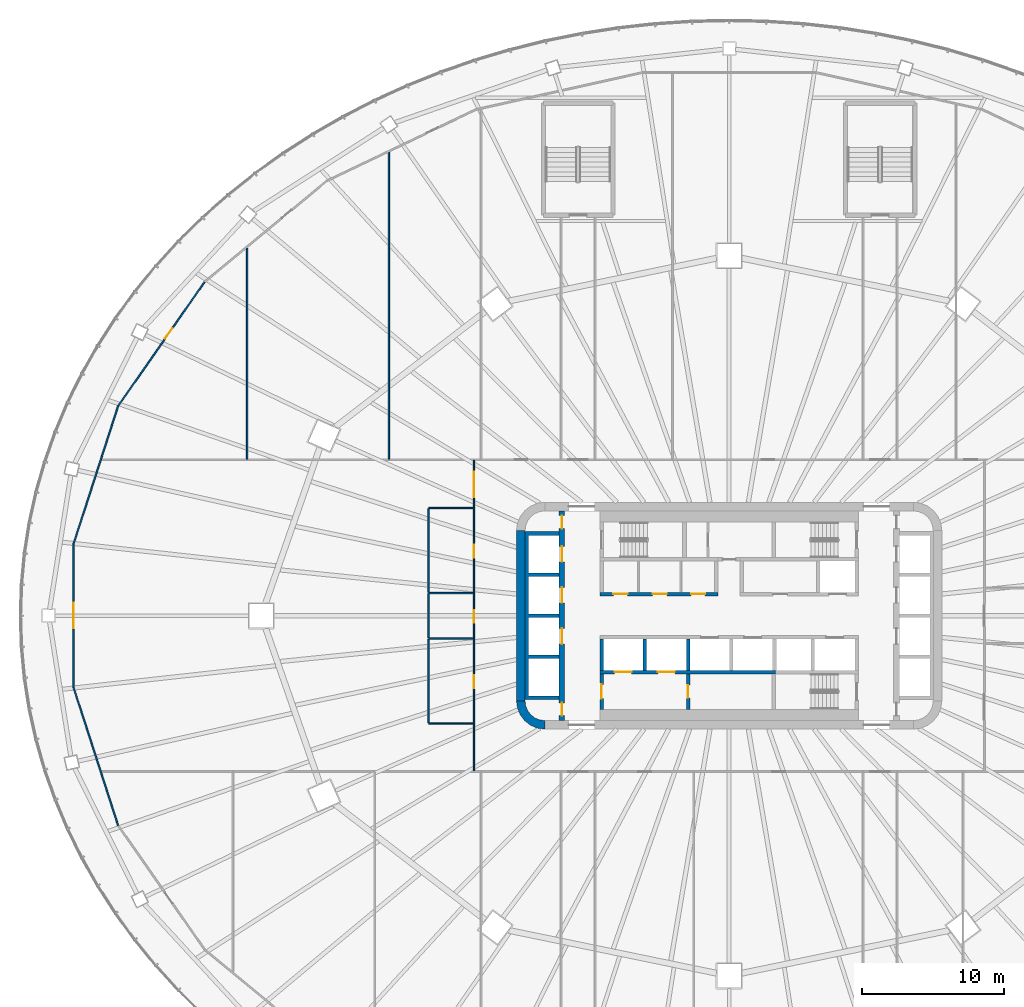
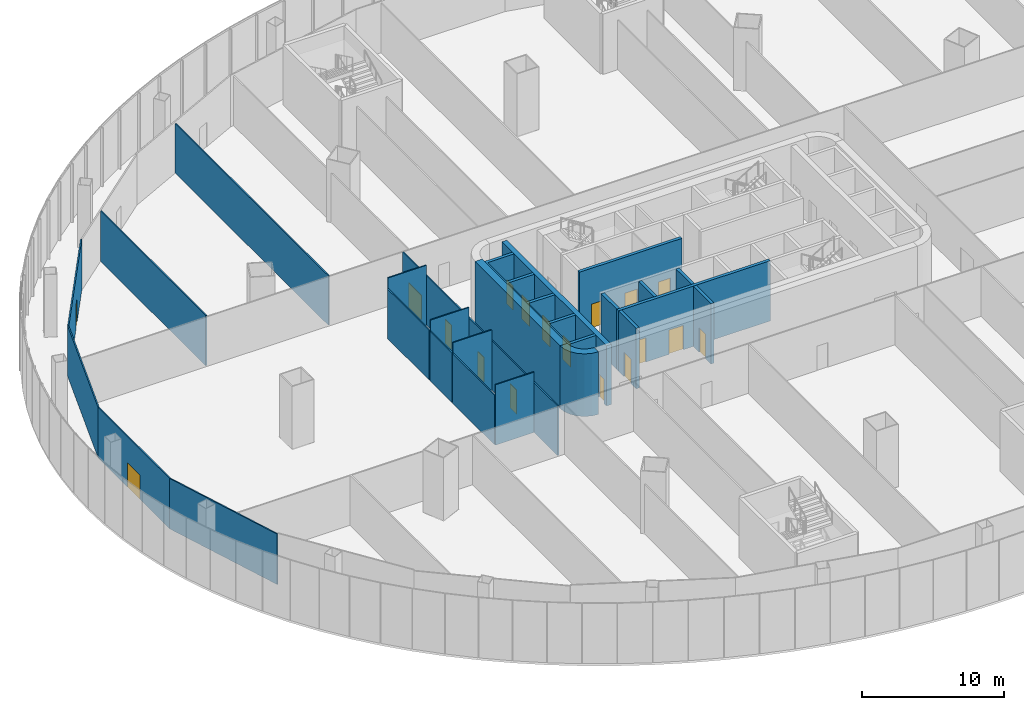
# One storey, part 22 of 42: 25 walls, 18 doors, 18 openings.
"""IFC4 building model written with IfcOpenShell, lengths in metres."""

from ifc_helpers import new_model, si_unit, direction, frame, frame_2d, origin, place, context, subcontext, project, spatial, polyline, rectangle, outline, extrude, material, layer, layer_set, type_object, element, fill, save


model = new_model("IFC4")

# Units and contexts
model_context = context("Model", 3, precision=1e-05, world=origin(), true_north=direction((0.0, 1.0)))
body_context = subcontext(model_context, "Body", "Model", "MODEL_VIEW")
ifc_project = project(units=[si_unit("LENGTHUNIT", "METRE"), si_unit("AREAUNIT", "SQUARE_METRE"), si_unit("VOLUMEUNIT", "CUBIC_METRE"), si_unit("PLANEANGLEUNIT", "RADIAN"), si_unit("MASSUNIT", "GRAM", prefix="KILO")], contexts=[model_context])

# Site, building, storey
site_placement = place(None, origin())
site = spatial("IfcSite", under=ifc_project, at=site_placement, CompositionType="ELEMENT")
building_placement = place(site_placement, origin())
building = spatial("IfcBuilding", under=site, at=building_placement, Name="Sahrelin Media Tower", CompositionType="ELEMENT")
storey_placement = place(building_placement, frame((0.0, 0.0, 26.0)))
storey = spatial("IfcBuildingStorey", under=building, at=storey_placement, Name="L03", CompositionType="ELEMENT", Elevation=26.0)

# Walls
ifc_material_1 = material(Name="Concrete C60/75", Category="concrete")
ifc_layer_1 = layer(ifc_material_1, 0.60009765625)
ifc_layer_set_1 = layer_set([ifc_layer_1], Name="Core wall 600")
wall_type_1 = type_object("IfcWallType", Name="Core wall 600", PredefinedType="SHEAR", material=ifc_layer_set_1)
wall_1_placement = place(storey_placement, frame((-14.699951171875, -6.0, 0.0), z_axis=(0.0, 0.0, 1.0), x_axis=(0.0, 1.0, 0.0)))
element("IfcWall", 1, at=wall_1_placement, inside=storey, type_object=wall_type_1, Name="Core wall W L03", PredefinedType="SHEAR", context=body_context, shape_type="SweptSolid", body=[
    extrude(rectangle(XDim=12.0, YDim=0.60009765625, at=frame_2d((6.0, 0.0))), origin(), (0.0, 0.0, 1.0), 5.39990234375),
])
placement = place(storey_placement, origin())
element("IfcWall", 2, at=placement, inside=storey, type_object=wall_type_1, Name="Core wall corner SW L03", PredefinedType="SHEAR", context=body_context, shape_type="SweptSolid", body=[
    extrude(outline(polyline([(-13.0, -8.0), (-13.0, -7.394775390625), (-13.361083984375, -7.347412109375), (-13.697509765625, -7.2080078125), (-13.986328125, -6.986328125), (-14.2080078125, -6.697509765625), (-14.347412109375, -6.361083984375), (-14.394775390625, -6.0), (-15.0, -6.0), (-14.931884765625, -6.517578125), (-14.732177734375, -7.0), (-14.414306640625, -7.414306640625), (-14.0, -7.732177734375), (-13.517578125, -7.931884765625), (-13.0, -8.0)])), origin(), (0.0, 0.0, 1.0), 5.39990234375),
])

# Wall, openings, doors
ifc_material_2 = material(Name="Fire-rated gypsum board partition")
ifc_layer_2 = layer(ifc_material_2, 0.25)
ifc_layer_set_2 = layer_set([ifc_layer_2], Name="Fire-rated lobby wall 250")
wall_type_2 = type_object("IfcWallType", Name="Fire-rated lobby wall 250", PredefinedType="PARTITIONING", material=ifc_layer_set_2)
wall_3_placement = place(storey_placement, frame((-9.125, 1.52490234375, 0.0), z_axis=(0.0, 0.0, 1.0), x_axis=(1.0, 0.0, 0.0)))
wall_3 = element("IfcWall", 3, at=wall_3_placement, inside=storey, type_object=wall_type_2, Name="Core lobby wall", PredefinedType="PARTITIONING", context=body_context, shape_type="SweptSolid", body=[
    extrude(rectangle(XDim=8.35009765625, YDim=0.25, at=frame_2d((4.175048828125, 0.0))), origin(), (0.0, 0.0, 1.0), 5.199951171875),
])
opening_1_placement = place(wall_3_placement, frame((0.96240234375, 0.0, 0.0)))
opening_1 = element("IfcOpeningElement", 4, at=opening_1_placement, cuts=wall_3, Name="Opening L03-D08", PredefinedType="OPENING", context=body_context, shape_type="SweptSolid", body=[
    extrude(rectangle(XDim=1.0, YDim=2.10009765625, at=frame_2d((0.5, 1.050048828125))), frame((0.0, 0.125, 0.0), z_axis=(0.0, -1.0, 0.0), x_axis=(1.0, 0.0, 0.0)), (0.0, 0.0, 1.0), 0.25),
])
opening_2_placement = place(wall_3_placement, frame((3.72509765625, 0.0, 0.0)))
opening_2 = element("IfcOpeningElement", 5, at=opening_2_placement, cuts=wall_3, Name="Opening L03-D09", PredefinedType="OPENING", context=body_context, shape_type="SweptSolid", body=[
    extrude(rectangle(XDim=1.0, YDim=2.10009765625, at=frame_2d((0.5, 1.050048828125))), frame((0.0, 0.125, 0.0), z_axis=(0.0, -1.0, 0.0), x_axis=(1.0, 0.0, 0.0)), (0.0, 0.0, 1.0), 0.25),
])
opening_3_placement = place(wall_3_placement, frame((6.4375, 0.0, 0.0)))
opening_3 = element("IfcOpeningElement", 6, at=opening_3_placement, cuts=wall_3, Name="Opening L03-D10", PredefinedType="OPENING", context=body_context, shape_type="SweptSolid", body=[
    extrude(rectangle(XDim=1.0, YDim=2.10009765625, at=frame_2d((0.5, 1.050048828125))), frame((0.0, 0.125, 0.0), z_axis=(0.0, -1.0, 0.0), x_axis=(1.0, 0.0, 0.0)), (0.0, 0.0, 1.0), 0.25),
])
ifc_material_3 = material(Name="Steel fire door leaf", Category="steel")
door_type_1 = type_object("IfcDoorType", Name="Fire door 1000 x 2100 EI 60", OperationType="NOTDEFINED", PredefinedType="DOOR", material=ifc_material_3)
door_1_placement = place(opening_1_placement, origin())
door_1 = element("IfcDoor", 7, at=door_1_placement, inside=storey, type_object=door_type_1, Name="Core room door", OperationType="SINGLE_SWING_LEFT", OverallHeight=2.10009765625, OverallWidth=1.0, PredefinedType="DOOR", context=body_context, shape_type="SweptSolid", body=[
    extrude(rectangle(XDim=1.0, YDim=2.10009765625, at=frame_2d((0.5, 1.050048828125))), frame((0.0, 0.02490234375, 0.0), z_axis=(0.0, -1.0, 0.0), x_axis=(1.0, 0.0, 0.0)), (0.0, 0.0, 1.0), 0.050048828125),
])
fill(opening_1, door_1)
door_2_placement = place(opening_2_placement, origin())
door_2 = element("IfcDoor", 8, at=door_2_placement, inside=storey, type_object=door_type_1, Name="Core room door", OperationType="SINGLE_SWING_LEFT", OverallHeight=2.10009765625, OverallWidth=1.0, PredefinedType="DOOR", context=body_context, shape_type="SweptSolid", body=[
    extrude(rectangle(XDim=1.0, YDim=2.10009765625, at=frame_2d((0.5, 1.050048828125))), frame((0.0, 0.02490234375, 0.0), z_axis=(0.0, -1.0, 0.0), x_axis=(1.0, 0.0, 0.0)), (0.0, 0.0, 1.0), 0.050048828125),
])
fill(opening_2, door_2)
door_3_placement = place(opening_3_placement, origin())
door_3 = element("IfcDoor", 9, at=door_3_placement, inside=storey, type_object=door_type_1, Name="Core room door", OperationType="SINGLE_SWING_LEFT", OverallHeight=2.10009765625, OverallWidth=1.0, PredefinedType="DOOR", context=body_context, shape_type="SweptSolid", body=[
    extrude(rectangle(XDim=1.0, YDim=2.10009765625, at=frame_2d((0.5, 1.050048828125))), frame((0.0, 0.02490234375, 0.0), z_axis=(0.0, -1.0, 0.0), x_axis=(1.0, 0.0, 0.0)), (0.0, 0.0, 1.0), 0.050048828125),
])
fill(opening_3, door_3)

# Wall, opening, door
ifc_layer_3 = layer(ifc_material_2, 0.25)
ifc_layer_set_3 = layer_set([ifc_layer_3], Name="Firefighting lobby wall 250")
wall_type_3 = type_object("IfcWallType", Name="Firefighting lobby wall 250", PredefinedType="PARTITIONING", material=ifc_layer_set_3)
wall_4_placement = place(storey_placement, frame((-9.0, -6.60009765625, 0.0), z_axis=(0.0, 0.0, 1.0), x_axis=(0.0, 1.0, 0.0)))
wall_4 = element("IfcWall", 10, at=wall_4_placement, inside=storey, type_object=wall_type_3, Name="Core wall", PredefinedType="PARTITIONING", context=body_context, shape_type="SweptSolid", body=[
    extrude(rectangle(XDim=2.5, YDim=0.25, at=frame_2d((1.25, 0.0))), origin(), (0.0, 0.0, 1.0), 5.199951171875),
])
opening_4_placement = place(wall_4_placement, frame((0.75, 0.0, 0.0)))
opening_4 = element("IfcOpeningElement", 11, at=opening_4_placement, cuts=wall_4, Name="Opening L03-D04", PredefinedType="OPENING", context=body_context, shape_type="SweptSolid", body=[
    extrude(rectangle(XDim=1.0, YDim=2.10009765625, at=frame_2d((0.5, 1.050048828125))), frame((0.0, 0.125, 0.0), z_axis=(0.0, -1.0, 0.0), x_axis=(1.0, 0.0, 0.0)), (0.0, 0.0, 1.0), 0.25),
])
door_type_2 = type_object("IfcDoorType", Name="Firefighting lobby door 1000 x 2100 EI 120", OperationType="NOTDEFINED", PredefinedType="DOOR", material=ifc_material_3)
door_4_placement = place(opening_4_placement, origin())
door_4 = element("IfcDoor", 12, at=door_4_placement, inside=storey, type_object=door_type_2, Name="Firefighting lobby door", OperationType="SINGLE_SWING_LEFT", OverallHeight=2.10009765625, OverallWidth=1.0, PredefinedType="DOOR", context=body_context, shape_type="SweptSolid", body=[
    extrude(rectangle(XDim=1.0, YDim=2.10009765625, at=frame_2d((0.5, 1.050048828125))), frame((0.0, 0.02490234375, 0.0), z_axis=(0.0, -1.0, 0.0), x_axis=(1.0, 0.0, 0.0)), (0.0, 0.0, 1.0), 0.050048828125),
])
fill(opening_4, door_4)

wall_5_placement = place(storey_placement, frame((-2.89990234375, -6.60009765625, 0.0), z_axis=(0.0, 0.0, 1.0), x_axis=(0.0, 1.0, 0.0)))
wall_5 = element("IfcWall", 13, at=wall_5_placement, inside=storey, type_object=wall_type_3, Name="Core wall", PredefinedType="PARTITIONING", context=body_context, shape_type="SweptSolid", body=[
    extrude(rectangle(XDim=2.5, YDim=0.25, at=frame_2d((1.25, 0.0))), origin(), (0.0, 0.0, 1.0), 5.199951171875),
])
opening_5_placement = place(wall_5_placement, frame((0.800048828125, 0.0, 0.0)))
opening_5 = element("IfcOpeningElement", 14, at=opening_5_placement, cuts=wall_5, Name="Opening L03-D05", PredefinedType="OPENING", context=body_context, shape_type="SweptSolid", body=[
    extrude(rectangle(XDim=0.89990234375, YDim=2.10009765625, at=frame_2d((0.449951171875, 1.050048828125))), frame((0.0, 0.125, 0.0), z_axis=(0.0, -1.0, 0.0), x_axis=(1.0, 0.0, 0.0)), (0.0, 0.0, 1.0), 0.25),
])
door_type_3 = type_object("IfcDoorType", Name="Firefighting lobby door 900 x 2100 EI 120", OperationType="NOTDEFINED", PredefinedType="DOOR", material=ifc_material_3)
door_5_placement = place(opening_5_placement, origin())
door_5 = element("IfcDoor", 15, at=door_5_placement, inside=storey, type_object=door_type_3, Name="Riser door", OperationType="SINGLE_SWING_RIGHT", OverallHeight=2.10009765625, OverallWidth=0.89990234375, PredefinedType="DOOR", context=body_context, shape_type="SweptSolid", body=[
    extrude(rectangle(XDim=0.89990234375, YDim=2.10009765625, at=frame_2d((0.449951171875, 1.050048828125))), frame((0.0, 0.02490234375, 0.0), z_axis=(0.0, -1.0, 0.0), x_axis=(1.0, 0.0, 0.0)), (0.0, 0.0, 1.0), 0.050048828125),
])
fill(opening_5, door_5)

# Wall, openings, doors
ifc_layer_4 = layer(ifc_material_1, 0.25)
ifc_layer_set_4 = layer_set([ifc_layer_4], Name="Lift shaft wall 250")
wall_type_4 = type_object("IfcWallType", Name="Lift shaft wall 250", PredefinedType="SOLIDWALL", material=ifc_layer_set_4)
wall_6_placement = place(storey_placement, frame((-9.125, -3.97509765625, 0.0), z_axis=(0.0, 0.0, 1.0), x_axis=(1.0, 0.0, 0.0)))
wall_6 = element("IfcWall", 16, at=wall_6_placement, inside=storey, type_object=wall_type_4, Name="Lift shaft wall", PredefinedType="SOLIDWALL", context=body_context, shape_type="SweptSolid", body=[
    extrude(rectangle(XDim=12.39990234375, YDim=0.25, at=frame_2d((6.199951171875, 0.0))), origin(), (0.0, 0.0, 1.0), 5.199951171875),
])
opening_6_placement = place(wall_6_placement, frame((1.050048828125, 0.0, 0.0)))
opening_6 = element("IfcOpeningElement", 17, at=opening_6_placement, cuts=wall_6, Name="Opening L03-LD-FF1", PredefinedType="OPENING", context=body_context, shape_type="SweptSolid", body=[
    extrude(rectangle(XDim=1.199951171875, YDim=2.10009765625, at=frame_2d((0.60009765625, 1.050048828125))), frame((0.0, 0.125, 0.0), z_axis=(0.0, -1.0, 0.0), x_axis=(1.0, 0.0, 0.0)), (0.0, 0.0, 1.0), 0.25),
])
opening_7_placement = place(wall_6_placement, frame((4.10009765625, 0.0, 0.0)))
opening_7 = element("IfcOpeningElement", 18, at=opening_7_placement, cuts=wall_6, Name="Opening L03-LD-FF2", PredefinedType="OPENING", context=body_context, shape_type="SweptSolid", body=[
    extrude(rectangle(XDim=1.199951171875, YDim=2.10009765625, at=frame_2d((0.60009765625, 1.050048828125))), frame((0.0, 0.125, 0.0), z_axis=(0.0, -1.0, 0.0), x_axis=(1.0, 0.0, 0.0)), (0.0, 0.0, 1.0), 0.25),
])
ifc_material_4 = material(Name="Stainless steel", Category="steel")
door_type_4 = type_object("IfcDoorType", Name="Lift landing door 1200 x 2100 EI 120", OperationType="DOUBLE_DOOR_SLIDING", PredefinedType="DOOR", material=ifc_material_4)
door_6_placement = place(opening_6_placement, origin())
door_6 = element("IfcDoor", 19, at=door_6_placement, inside=storey, type_object=door_type_4, Name="Lift landing door FF1", OperationType="DOUBLE_DOOR_SLIDING", OverallHeight=2.10009765625, OverallWidth=1.199951171875, PredefinedType="DOOR", context=body_context, shape_type="SweptSolid", body=[
    extrude(rectangle(XDim=1.199951171875, YDim=2.10009765625, at=frame_2d((0.60009765625, 1.050048828125))), frame((0.0, 0.02490234375, 0.0), z_axis=(0.0, -1.0, 0.0), x_axis=(1.0, 0.0, 0.0)), (0.0, 0.0, 1.0), 0.050048828125),
])
fill(opening_6, door_6)
door_7_placement = place(opening_7_placement, origin())
door_7 = element("IfcDoor", 20, at=door_7_placement, inside=storey, type_object=door_type_4, Name="Lift landing door FF2", OperationType="DOUBLE_DOOR_SLIDING", OverallHeight=2.10009765625, OverallWidth=1.199951171875, PredefinedType="DOOR", context=body_context, shape_type="SweptSolid", body=[
    extrude(rectangle(XDim=1.199951171875, YDim=2.10009765625, at=frame_2d((0.60009765625, 1.050048828125))), frame((0.0, 0.02490234375, 0.0), z_axis=(0.0, -1.0, 0.0), x_axis=(1.0, 0.0, 0.0)), (0.0, 0.0, 1.0), 0.050048828125),
])
fill(opening_7, door_7)

# Walls
for number, where, z_axis, x_axis, name in (
    (21, (-9.0, -3.85009765625, 0.0), (0.0, 0.0, 1.0), (0.0, 1.0, 0.0), "Lift shaft wall"),
    (22, (-5.949951171875, -3.85009765625, 0.0), (0.0, 0.0, 1.0), (0.0, 1.0, 0.0), "Lift shaft wall"),
    (23, (-2.89990234375, -3.85009765625, 0.0), (0.0, 0.0, 1.0), (0.0, 1.0, 0.0), "Lift shaft wall"),
):
    element("IfcWall", number, at=place(storey_placement, frame(where, z_axis=z_axis, x_axis=x_axis)), inside=storey, type_object=wall_type_4, Name=name, PredefinedType="SOLIDWALL", context=body_context, shape_type="SweptSolid", body=[
        extrude(rectangle(XDim=2.2001953125, YDim=0.25, at=frame_2d((1.10009765625, 0.0))), origin(), (0.0, 0.0, 1.0), 5.199951171875),
    ])
element("IfcWall", 24, at=placement, inside=storey, type_object=wall_type_4, Name="Lift shaft wall", PredefinedType="SOLIDWALL", context=body_context, shape_type="SweptSolid", body=[
    extrude(outline(polyline([(-12.0, -5.925048828125), (-12.0, -5.675048828125), (-14.14990234375, -5.675048828125), (-14.14990234375, -3.02490234375), (-12.0, -3.02490234375), (-12.0, -2.77490234375), (-14.14990234375, -2.77490234375), (-14.14990234375, -0.125), (-12.0, -0.125), (-12.0, 0.125), (-14.14990234375, 0.125), (-14.14990234375, 2.77490234375), (-12.0, 2.77490234375), (-12.0, 3.02490234375), (-14.14990234375, 3.02490234375), (-14.14990234375, 5.675048828125), (-12.0, 5.675048828125), (-12.0, 5.925048828125), (-14.14990234375, 5.925048828125), (-14.39990234375, 5.925048828125), (-14.39990234375, 5.675048828125), (-14.39990234375, 3.02490234375), (-14.39990234375, 2.77490234375), (-14.39990234375, 0.125), (-14.39990234375, -0.125), (-14.39990234375, -2.77490234375), (-14.39990234375, -3.02490234375), (-14.39990234375, -5.675048828125), (-14.39990234375, -5.925048828125), (-14.14990234375, -5.925048828125), (-12.0, -5.925048828125)])), origin(), (0.0, 0.0, 1.0), 5.199951171875),
])

# Wall, openings, doors
ifc_layer_5 = layer(ifc_material_1, 0.39990234375)
ifc_layer_set_5 = layer_set([ifc_layer_5], Name="Lift shaft wall 400")
wall_type_5 = type_object("IfcWallType", Name="Lift shaft wall 400", PredefinedType="SOLIDWALL", material=ifc_layer_set_5)
wall_8_placement = place(storey_placement, frame((-11.800048828125, -7.39990234375, 0.0), z_axis=(0.0, 0.0, 1.0), x_axis=(0.0, 1.0, 0.0)))
wall_8 = element("IfcWall", 25, at=wall_8_placement, inside=storey, type_object=wall_type_5, Name="Lift shaft wall", PredefinedType="SOLIDWALL", context=body_context, shape_type="SweptSolid", body=[
    extrude(rectangle(XDim=14.7998046875, YDim=0.39990234375, at=frame_2d((7.39990234375, 0.0))), origin(), (0.0, 0.0, 1.0), 5.199951171875),
])
opening_8_placement = place(wall_8_placement, frame((11.199951171875, 0.0, 0.0)))
opening_8 = element("IfcOpeningElement", 26, at=opening_8_placement, cuts=wall_8, Name="Opening L03-LD-LR1", PredefinedType="OPENING", context=body_context, shape_type="SweptSolid", body=[
    extrude(rectangle(XDim=1.10009765625, YDim=2.10009765625, at=frame_2d((0.550048828125, 1.050048828125))), frame((0.0, 0.199951171875, 0.0), z_axis=(0.0, -1.0, 0.0), x_axis=(1.0, 0.0, 0.0)), (0.0, 0.0, 1.0), 0.39990234375),
])
opening_9_placement = place(wall_8_placement, frame((8.300048828125, 0.0, 0.0)))
opening_9 = element("IfcOpeningElement", 27, at=opening_9_placement, cuts=wall_8, Name="Opening L03-LD-LR2", PredefinedType="OPENING", context=body_context, shape_type="SweptSolid", body=[
    extrude(rectangle(XDim=1.10009765625, YDim=2.10009765625, at=frame_2d((0.550048828125, 1.050048828125))), frame((0.0, 0.199951171875, 0.0), z_axis=(0.0, -1.0, 0.0), x_axis=(1.0, 0.0, 0.0)), (0.0, 0.0, 1.0), 0.39990234375),
])
opening_10_placement = place(wall_8_placement, frame((5.39990234375, 0.0, 0.0)))
opening_10 = element("IfcOpeningElement", 28, at=opening_10_placement, cuts=wall_8, Name="Opening L03-LD-LR3", PredefinedType="OPENING", context=body_context, shape_type="SweptSolid", body=[
    extrude(rectangle(XDim=1.10009765625, YDim=2.10009765625, at=frame_2d((0.550048828125, 1.050048828125))), frame((0.0, 0.199951171875, 0.0), z_axis=(0.0, -1.0, 0.0), x_axis=(1.0, 0.0, 0.0)), (0.0, 0.0, 1.0), 0.39990234375),
])
opening_11_placement = place(wall_8_placement, frame((13.552490234375, 0.0, 0.0)))
opening_11 = element("IfcOpeningElement", 29, at=opening_11_placement, cuts=wall_8, Name="Opening L03-D12", PredefinedType="OPENING", context=body_context, shape_type="SweptSolid", body=[
    extrude(rectangle(XDim=0.89990234375, YDim=2.10009765625, at=frame_2d((0.449951171875, 1.050048828125))), frame((0.0, 0.199951171875, 0.0), z_axis=(0.0, -1.0, 0.0), x_axis=(1.0, 0.0, 0.0)), (0.0, 0.0, 1.0), 0.39990234375),
])
opening_12_placement = place(wall_8_placement, frame((0.347412109375, 0.0, 0.0)))
opening_12 = element("IfcOpeningElement", 30, at=opening_12_placement, cuts=wall_8, Name="Opening L03-D13", PredefinedType="OPENING", context=body_context, shape_type="SweptSolid", body=[
    extrude(rectangle(XDim=0.89990234375, YDim=2.10009765625, at=frame_2d((0.449951171875, 1.050048828125))), frame((0.0, 0.199951171875, 0.0), z_axis=(0.0, -1.0, 0.0), x_axis=(1.0, 0.0, 0.0)), (0.0, 0.0, 1.0), 0.39990234375),
])
door_type_5 = type_object("IfcDoorType", Name="Lift landing door 1100 x 2100 EI 120", OperationType="DOUBLE_DOOR_SLIDING", PredefinedType="DOOR", material=ifc_material_4)
door_8_placement = place(opening_8_placement, origin())
door_8 = element("IfcDoor", 31, at=door_8_placement, inside=storey, type_object=door_type_5, Name="Lift landing door LR1", OperationType="DOUBLE_DOOR_SLIDING", OverallHeight=2.10009765625, OverallWidth=1.10009765625, PredefinedType="DOOR", context=body_context, shape_type="SweptSolid", body=[
    extrude(rectangle(XDim=1.10009765625, YDim=2.10009765625, at=frame_2d((0.550048828125, 1.050048828125))), frame((0.0, 0.02490234375, 0.0), z_axis=(0.0, -1.0, 0.0), x_axis=(1.0, 0.0, 0.0)), (0.0, 0.0, 1.0), 0.050048828125),
])
fill(opening_8, door_8)
door_9_placement = place(opening_9_placement, origin())
door_9 = element("IfcDoor", 32, at=door_9_placement, inside=storey, type_object=door_type_5, Name="Lift landing door LR2", OperationType="DOUBLE_DOOR_SLIDING", OverallHeight=2.10009765625, OverallWidth=1.10009765625, PredefinedType="DOOR", context=body_context, shape_type="SweptSolid", body=[
    extrude(rectangle(XDim=1.10009765625, YDim=2.10009765625, at=frame_2d((0.550048828125, 1.050048828125))), frame((0.0, 0.02490234375, 0.0), z_axis=(0.0, -1.0, 0.0), x_axis=(1.0, 0.0, 0.0)), (0.0, 0.0, 1.0), 0.050048828125),
])
fill(opening_9, door_9)
door_10_placement = place(opening_10_placement, origin())
door_10 = element("IfcDoor", 33, at=door_10_placement, inside=storey, type_object=door_type_5, Name="Lift landing door LR3", OperationType="DOUBLE_DOOR_SLIDING", OverallHeight=2.10009765625, OverallWidth=1.10009765625, PredefinedType="DOOR", context=body_context, shape_type="SweptSolid", body=[
    extrude(rectangle(XDim=1.10009765625, YDim=2.10009765625, at=frame_2d((0.550048828125, 1.050048828125))), frame((0.0, 0.02490234375, 0.0), z_axis=(0.0, -1.0, 0.0), x_axis=(1.0, 0.0, 0.0)), (0.0, 0.0, 1.0), 0.050048828125),
])
fill(opening_10, door_10)
door_type_6 = type_object("IfcDoorType", Name="Riser door 900 x 2100 EI 120", OperationType="NOTDEFINED", PredefinedType="DOOR", material=ifc_material_3)
door_11_placement = place(opening_11_placement, origin())
door_11 = element("IfcDoor", 34, at=door_11_placement, inside=storey, type_object=door_type_6, Name="Riser door", OperationType="SINGLE_SWING_LEFT", OverallHeight=2.10009765625, OverallWidth=0.89990234375, PredefinedType="DOOR", context=body_context, shape_type="SweptSolid", body=[
    extrude(rectangle(XDim=0.89990234375, YDim=2.10009765625, at=frame_2d((0.449951171875, 1.050048828125))), frame((0.0, 0.02490234375, 0.0), z_axis=(0.0, -1.0, 0.0), x_axis=(1.0, 0.0, 0.0)), (0.0, 0.0, 1.0), 0.050048828125),
])
fill(opening_11, door_11)
door_12_placement = place(opening_12_placement, origin())
door_12 = element("IfcDoor", 35, at=door_12_placement, inside=storey, type_object=door_type_6, Name="Riser door", OperationType="SINGLE_SWING_LEFT", OverallHeight=2.10009765625, OverallWidth=0.89990234375, PredefinedType="DOOR", context=body_context, shape_type="SweptSolid", body=[
    extrude(rectangle(XDim=0.89990234375, YDim=2.10009765625, at=frame_2d((0.449951171875, 1.050048828125))), frame((0.0, 0.02490234375, 0.0), z_axis=(0.0, -1.0, 0.0), x_axis=(1.0, 0.0, 0.0)), (0.0, 0.0, 1.0), 0.050048828125),
])
fill(opening_12, door_12)

# Wall, opening, door
ifc_material_5 = material(Name="Gypsum board partition")
ifc_layer_6 = layer(ifc_material_5, 0.10009765625)
ifc_layer_set_6 = layer_set([ifc_layer_6], Name="Partition 100")
wall_type_6 = type_object("IfcWallType", Name="Partition 100", PredefinedType="PARTITIONING", material=ifc_layer_set_6)
wall_9_placement = place(storey_placement, frame((-37.010009765625, 23.528564453125, 0.0), z_axis=(0.0, 0.0, 1.0), x_axis=(-0.571737958261, -0.820436290692, 0.0)))
wall_9 = element("IfcWall", 36, at=wall_9_placement, inside=storey, type_object=wall_type_6, Name="Wall", PredefinedType="PARTITIONING", context=body_context, shape_type="SweptSolid", body=[
    extrude(rectangle(XDim=10.650146484375, YDim=0.10009765625, at=frame_2d((5.3251953125, 0.0))), origin(), (0.0, 0.0, 1.0), 4.426025390625),
])
opening_13_placement = place(wall_9_placement, frame((3.9599609375, 0.0, 0.0)))
opening_13 = element("IfcOpeningElement", 37, at=opening_13_placement, cuts=wall_9, Name="Opening L03-D26", PredefinedType="OPENING", context=body_context, shape_type="SweptSolid", body=[
    extrude(rectangle(XDim=0.89990234375, YDim=2.10009765625, at=frame_2d((0.449951171875, 1.050048828125))), frame((0.0, 0.050048828125, 0.0), z_axis=(0.0, -1.0, 0.0), x_axis=(1.0, 0.0, 0.0)), (0.0, 0.0, 1.0), 0.10009765625),
])
ifc_material_6 = material(Name="Timber door leaf", Category="wood")
door_type_7 = type_object("IfcDoorType", Name="Single door 900 x 2100", OperationType="NOTDEFINED", PredefinedType="DOOR", material=ifc_material_6)
door_13_placement = place(opening_13_placement, origin())
door_13 = element("IfcDoor", 38, at=door_13_placement, inside=storey, type_object=door_type_7, Name="Single door", OperationType="SINGLE_SWING_LEFT", OverallHeight=2.10009765625, OverallWidth=0.89990234375, PredefinedType="DOOR", context=body_context, shape_type="SweptSolid", body=[
    extrude(rectangle(XDim=0.89990234375, YDim=2.10009765625, at=frame_2d((0.449951171875, 1.050048828125))), frame((0.0, 0.02490234375, 0.0), z_axis=(0.0, -1.0, 0.0), x_axis=(1.0, 0.0, 0.0)), (0.0, 0.0, 1.0), 0.050048828125),
])
fill(opening_13, door_13)

# Wall
wall_10_placement = place(storey_placement, frame((-43.09912109375, 14.790771484375, 0.0), z_axis=(0.0, 0.0, 1.0), x_axis=(-0.307713034182, -0.951479210805, 0.0)))
element("IfcWall", 39, at=wall_10_placement, inside=storey, type_object=wall_type_6, Name="Wall", PredefinedType="PARTITIONING", context=body_context, shape_type="SweptSolid", body=[
    extrude(rectangle(XDim=10.242919921875, YDim=0.10009765625, at=frame_2d((5.12158203125, 0.0))), origin(), (0.0, 0.0, 1.0), 4.34521484375),
])

# Wall, opening, door
wall_11_placement = place(storey_placement, frame((-46.2509765625, 5.044921875, 0.0), z_axis=(0.0, 0.0, 1.0), x_axis=(0.0, -1.0, 0.0)))
wall_11 = element("IfcWall", 40, at=wall_11_placement, inside=storey, type_object=wall_type_6, Name="Wall", PredefinedType="PARTITIONING", context=body_context, shape_type="SweptSolid", body=[
    extrude(rectangle(XDim=10.08984375, YDim=0.10009765625, at=frame_2d((5.044921875, 0.0))), origin(), (0.0, 0.0, 1.0), 4.34521484375),
])
opening_14_placement = place(wall_11_placement, frame((4.14501953125, 0.0, 0.0)))
opening_14 = element("IfcOpeningElement", 41, at=opening_14_placement, cuts=wall_11, Name="Opening L03-D46", PredefinedType="OPENING", context=body_context, shape_type="SweptSolid", body=[
    extrude(rectangle(XDim=1.800048828125, YDim=2.10009765625, at=frame_2d((0.89990234375, 1.050048828125))), frame((0.0, 0.050048828125, 0.0), z_axis=(0.0, -1.0, 0.0), x_axis=(1.0, 0.0, 0.0)), (0.0, 0.0, 1.0), 0.10009765625),
])
door_type_8 = type_object("IfcDoorType", Name="Double door 1800 x 2100", OperationType="DOUBLE_DOOR_SINGLE_SWING", PredefinedType="DOOR", material=ifc_material_6)
door_14_placement = place(opening_14_placement, origin())
door_14 = element("IfcDoor", 42, at=door_14_placement, inside=storey, type_object=door_type_8, Name="Double door", OperationType="DOUBLE_DOOR_SINGLE_SWING", OverallHeight=2.10009765625, OverallWidth=1.800048828125, PredefinedType="DOOR", context=body_context, shape_type="SweptSolid", body=[
    extrude(rectangle(XDim=1.800048828125, YDim=2.10009765625, at=frame_2d((0.89990234375, 1.050048828125))), frame((0.0, 0.02490234375, 0.0), z_axis=(0.0, -1.0, 0.0), x_axis=(1.0, 0.0, 0.0)), (0.0, 0.0, 1.0), 0.050048828125),
])
fill(opening_14, door_14)

# Wall
wall_12_placement = place(storey_placement, frame((-46.2509765625, -5.044921875, 0.0), z_axis=(0.0, 0.0, 1.0), x_axis=(0.307713034182, -0.951479210805, 0.0)))
element("IfcWall", 43, at=wall_12_placement, inside=storey, type_object=wall_type_6, Name="Wall", PredefinedType="PARTITIONING", context=body_context, shape_type="SweptSolid", body=[
    extrude(rectangle(XDim=10.242919921875, YDim=0.10009765625, at=frame_2d((5.12158203125, 0.0))), origin(), (0.0, 0.0, 1.0), 4.34521484375),
])

# Wall, openings, doors
wall_13_placement = place(storey_placement, frame((-18.0, -10.949951171875, 0.0), z_axis=(0.0, 0.0, 1.0), x_axis=(0.0, 1.0, 0.0)))
wall_13 = element("IfcWall", 44, at=wall_13_placement, inside=storey, type_object=wall_type_6, Name="Wall", PredefinedType="PARTITIONING", context=body_context, shape_type="SweptSolid", body=[
    extrude(rectangle(XDim=21.89990234375, YDim=0.10009765625, at=frame_2d((10.949951171875, 0.0))), origin(), (0.0, 0.0, 1.0), 4.277099609375),
])
opening_15_placement = place(wall_13_placement, frame((19.300048828125, 0.0, 0.0)))
opening_15 = element("IfcOpeningElement", 45, at=opening_15_placement, cuts=wall_13, Name="Opening L03-D45", PredefinedType="OPENING", context=body_context, shape_type="SweptSolid", body=[
    extrude(rectangle(XDim=1.800048828125, YDim=2.10009765625, at=frame_2d((0.89990234375, 1.050048828125))), frame((0.0, 0.050048828125, 0.0), z_axis=(0.0, -1.0, 0.0), x_axis=(1.0, 0.0, 0.0)), (0.0, 0.0, 1.0), 0.10009765625),
])
opening_16_placement = place(wall_13_placement, frame((5.85009765625, 0.0, 0.0)))
opening_16 = element("IfcOpeningElement", 46, at=opening_16_placement, cuts=wall_13, Name="Opening L03-D47", PredefinedType="OPENING", context=body_context, shape_type="SweptSolid", body=[
    extrude(rectangle(XDim=0.89990234375, YDim=2.10009765625, at=frame_2d((0.449951171875, 1.050048828125))), frame((0.0, 0.050048828125, 0.0), z_axis=(0.0, -1.0, 0.0), x_axis=(1.0, 0.0, 0.0)), (0.0, 0.0, 1.0), 0.10009765625),
])
opening_17_placement = place(wall_13_placement, frame((10.449951171875, 0.0, 0.0)))
opening_17 = element("IfcOpeningElement", 47, at=opening_17_placement, cuts=wall_13, Name="Opening L03-D48", PredefinedType="OPENING", context=body_context, shape_type="SweptSolid", body=[
    extrude(rectangle(XDim=0.89990234375, YDim=2.10009765625, at=frame_2d((0.449951171875, 1.050048828125))), frame((0.0, 0.050048828125, 0.0), z_axis=(0.0, -1.0, 0.0), x_axis=(1.0, 0.0, 0.0)), (0.0, 0.0, 1.0), 0.10009765625),
])
opening_18_placement = place(wall_13_placement, frame((15.050048828125, 0.0, 0.0)))
opening_18 = element("IfcOpeningElement", 48, at=opening_18_placement, cuts=wall_13, Name="Opening L03-D49", PredefinedType="OPENING", context=body_context, shape_type="SweptSolid", body=[
    extrude(rectangle(XDim=0.89990234375, YDim=2.10009765625, at=frame_2d((0.449951171875, 1.050048828125))), frame((0.0, 0.050048828125, 0.0), z_axis=(0.0, -1.0, 0.0), x_axis=(1.0, 0.0, 0.0)), (0.0, 0.0, 1.0), 0.10009765625),
])
door_15_placement = place(opening_15_placement, origin())
door_15 = element("IfcDoor", 49, at=door_15_placement, inside=storey, type_object=door_type_8, Name="Double door", OperationType="DOUBLE_DOOR_SINGLE_SWING", OverallHeight=2.10009765625, OverallWidth=1.800048828125, PredefinedType="DOOR", context=body_context, shape_type="SweptSolid", body=[
    extrude(rectangle(XDim=1.800048828125, YDim=2.10009765625, at=frame_2d((0.89990234375, 1.050048828125))), frame((0.0, 0.02490234375, 0.0), z_axis=(0.0, -1.0, 0.0), x_axis=(1.0, 0.0, 0.0)), (0.0, 0.0, 1.0), 0.050048828125),
])
fill(opening_15, door_15)
door_16_placement = place(opening_16_placement, origin())
door_16 = element("IfcDoor", 50, at=door_16_placement, inside=storey, type_object=door_type_7, Name="Single door", OperationType="SINGLE_SWING_LEFT", OverallHeight=2.10009765625, OverallWidth=0.89990234375, PredefinedType="DOOR", context=body_context, shape_type="SweptSolid", body=[
    extrude(rectangle(XDim=0.89990234375, YDim=2.10009765625, at=frame_2d((0.449951171875, 1.050048828125))), frame((0.0, 0.02490234375, 0.0), z_axis=(0.0, -1.0, 0.0), x_axis=(1.0, 0.0, 0.0)), (0.0, 0.0, 1.0), 0.050048828125),
])
fill(opening_16, door_16)
door_17_placement = place(opening_17_placement, origin())
door_17 = element("IfcDoor", 51, at=door_17_placement, inside=storey, type_object=door_type_7, Name="Single door", OperationType="SINGLE_SWING_LEFT", OverallHeight=2.10009765625, OverallWidth=0.89990234375, PredefinedType="DOOR", context=body_context, shape_type="SweptSolid", body=[
    extrude(rectangle(XDim=0.89990234375, YDim=2.10009765625, at=frame_2d((0.449951171875, 1.050048828125))), frame((0.0, 0.02490234375, 0.0), z_axis=(0.0, -1.0, 0.0), x_axis=(1.0, 0.0, 0.0)), (0.0, 0.0, 1.0), 0.050048828125),
])
fill(opening_17, door_17)
door_18_placement = place(opening_18_placement, origin())
door_18 = element("IfcDoor", 52, at=door_18_placement, inside=storey, type_object=door_type_7, Name="Single door", OperationType="SINGLE_SWING_RIGHT", OverallHeight=2.10009765625, OverallWidth=0.89990234375, PredefinedType="DOOR", context=body_context, shape_type="SweptSolid", body=[
    extrude(rectangle(XDim=0.89990234375, YDim=2.10009765625, at=frame_2d((0.449951171875, 1.050048828125))), frame((0.0, 0.02490234375, 0.0), z_axis=(0.0, -1.0, 0.0), x_axis=(1.0, 0.0, 0.0)), (0.0, 0.0, 1.0), 0.050048828125),
])
fill(opening_18, door_18)

# Walls
wall_14_placement = place(storey_placement, frame((-34.0, 11.050048828125, 0.0), z_axis=(0.0, 0.0, 1.0), x_axis=(0.0, 1.0, 0.0)))
element("IfcWall", 53, at=wall_14_placement, inside=storey, type_object=wall_type_6, Name="Wall", PredefinedType="PARTITIONING", context=body_context, shape_type="SweptSolid", body=[
    extrude(rectangle(XDim=14.865966796875, YDim=0.10009765625, at=frame_2d((7.43310546875, 0.0))), origin(), (0.0, 0.0, 1.0), 4.34521484375),
])
wall_15_placement = place(storey_placement, frame((-24.0, 11.050048828125, 0.0), z_axis=(0.0, 0.0, 1.0), x_axis=(0.0, 1.0, 0.0)))
element("IfcWall", 54, at=wall_15_placement, inside=storey, type_object=wall_type_6, Name="Wall", PredefinedType="PARTITIONING", context=body_context, shape_type="SweptSolid", body=[
    extrude(rectangle(XDim=21.637939453125, YDim=0.10009765625, at=frame_2d((10.81884765625, 0.0))), origin(), (0.0, 0.0, 1.0), 4.268310546875),
])
for number, where, z_axis, x_axis, name in (
    (55, (-21.199951171875, -7.60009765625, 0.0), (0.0, 0.0, 1.0), (1.0, 0.0, 0.0), "Wall"),
    (56, (-18.050048828125, -1.60009765625, 0.0), (0.0, 0.0, 1.0), (-1.0, 0.0, 0.0), "Wall"),
):
    element("IfcWall", number, at=place(storey_placement, frame(where, z_axis=z_axis, x_axis=x_axis)), inside=storey, type_object=wall_type_6, Name=name, PredefinedType="PARTITIONING", context=body_context, shape_type="SweptSolid", body=[
        extrude(rectangle(XDim=3.14990234375, YDim=0.10009765625, at=frame_2d((1.574951171875, 0.0))), origin(), (0.0, 0.0, 1.0), 5.199951171875),
    ])
wall_16_placement = place(storey_placement, frame((-21.199951171875, -1.64990234375, 0.0), z_axis=(0.0, 0.0, 1.0), x_axis=(0.0, -1.0, 0.0)))
element("IfcWall", 57, at=wall_16_placement, inside=storey, type_object=wall_type_6, Name="Wall", PredefinedType="PARTITIONING", context=body_context, shape_type="SweptSolid", body=[
    extrude(rectangle(XDim=5.900146484375, YDim=0.10009765625, at=frame_2d((2.9501953125, 0.0))), origin(), (0.0, 0.0, 1.0), 4.277099609375),
])
wall_17_placement = place(storey_placement, frame((-18.050048828125, 1.60009765625, 0.0), z_axis=(0.0, 0.0, 1.0), x_axis=(-1.0, 0.0, 0.0)))
element("IfcWall", 58, at=wall_17_placement, inside=storey, type_object=wall_type_6, Name="Wall", PredefinedType="PARTITIONING", context=body_context, shape_type="SweptSolid", body=[
    extrude(rectangle(XDim=3.14990234375, YDim=0.10009765625, at=frame_2d((1.574951171875, 0.0))), origin(), (0.0, 0.0, 1.0), 5.199951171875),
])
wall_18_placement = place(storey_placement, frame((-21.199951171875, 1.550048828125, 0.0), z_axis=(0.0, 0.0, 1.0), x_axis=(0.0, -1.0, 0.0)))
element("IfcWall", 59, at=wall_18_placement, inside=storey, type_object=wall_type_6, Name="Wall", PredefinedType="PARTITIONING", context=body_context, shape_type="SweptSolid", body=[
    extrude(rectangle(XDim=3.10009765625, YDim=0.10009765625, at=frame_2d((1.550048828125, 0.0))), origin(), (0.0, 0.0, 1.0), 4.277099609375),
])
wall_19_placement = place(storey_placement, frame((-18.050048828125, 7.60009765625, 0.0), z_axis=(0.0, 0.0, 1.0), x_axis=(-1.0, 0.0, 0.0)))
element("IfcWall", 60, at=wall_19_placement, inside=storey, type_object=wall_type_6, Name="Wall", PredefinedType="PARTITIONING", context=body_context, shape_type="SweptSolid", body=[
    extrude(rectangle(XDim=3.14990234375, YDim=0.10009765625, at=frame_2d((1.574951171875, 0.0))), origin(), (0.0, 0.0, 1.0), 5.199951171875),
])
wall_20_placement = place(storey_placement, frame((-21.199951171875, 7.550048828125, 0.0), z_axis=(0.0, 0.0, 1.0), x_axis=(0.0, -1.0, 0.0)))
element("IfcWall", 61, at=wall_20_placement, inside=storey, type_object=wall_type_6, Name="Wall", PredefinedType="PARTITIONING", context=body_context, shape_type="SweptSolid", body=[
    extrude(rectangle(XDim=5.900146484375, YDim=0.10009765625, at=frame_2d((2.9501953125, 0.0))), origin(), (0.0, 0.0, 1.0), 4.277099609375),
])

save(model, "model.ifc")
